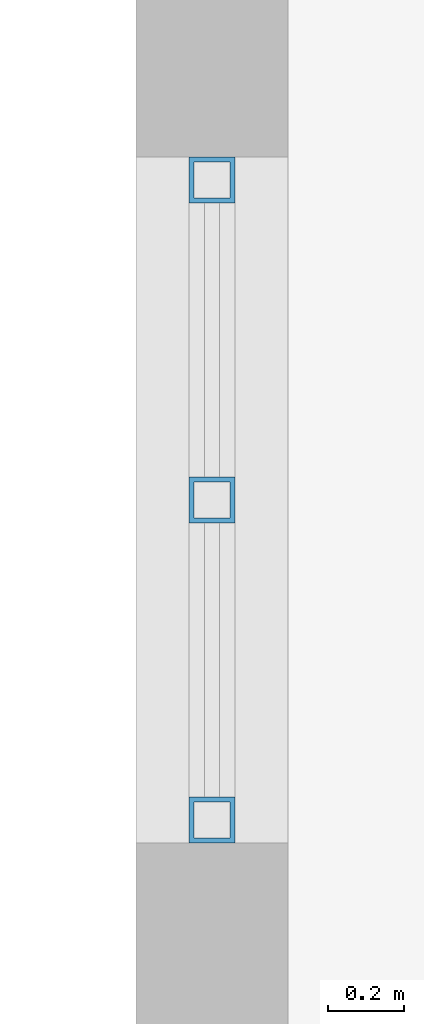
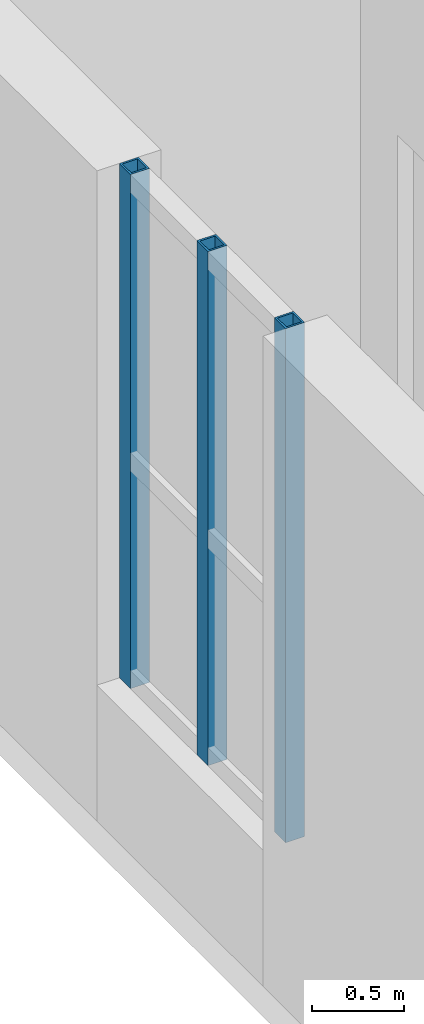
# One storey, part 45 of 131: 3 members, 1 element without a shape of its own.
"""IFC4 building model written with IfcOpenShell, lengths in metres."""

from ifc_helpers import new_model, si_unit, direction, frame, origin, origin_2d, place, context, subcontext, project, spatial, hollow_rectangle, extrude, material, material_profile, profile_set, type_object, element, aggregate, save


model = new_model("IFC4")

# Units and contexts
model_context = context("Model", 3, precision=1e-05, world=origin(), true_north=direction((0.0, 1.0)))
body_context = subcontext(model_context, "Body", "Model", "MODEL_VIEW")
ifc_project = project(units=[si_unit("LENGTHUNIT", "METRE"), si_unit("AREAUNIT", "SQUARE_METRE"), si_unit("VOLUMEUNIT", "CUBIC_METRE"), si_unit("PLANEANGLEUNIT", "RADIAN"), si_unit("MASSUNIT", "GRAM", prefix="KILO")], contexts=[model_context])

# Site, building, storey
site_placement = place(None, origin())
site = spatial("IfcSite", under=ifc_project, at=site_placement, CompositionType="ELEMENT")
building_placement = place(site_placement, origin())
building = spatial("IfcBuilding", under=site, at=building_placement, Name="Golden Quay Civic Hall", CompositionType="ELEMENT")
storey_placement = place(building_placement, frame((0.0, 0.0, 9.89990234375)))
storey = spatial("IfcBuildingStorey", under=building, at=storey_placement, Name="L02", CompositionType="ELEMENT", Elevation=9.89990234375)

# Curtain wall, members
ifc_material_1 = material(Name="Fire-resisting glass and steel", Category="steel")
curtain_wall_type = type_object("IfcCurtainWallType", Name="Fire-resisting glazed stair curtain wall EI 120", PredefinedType="NOTDEFINED", material=ifc_material_1)
curtain_wall_placement = place(storey_placement, origin())
curtain_wall = element("IfcCurtainWall", 1, at=curtain_wall_placement, inside=storey, type_object=curtain_wall_type, Name="CW4 stair curtain wall", PredefinedType="NOTDEFINED")
ifc_material_2 = material(Name="Steel S355", Category="steel")
ifc_material_profile = material_profile(ifc_material_2, hollow_rectangle(XDim=0.1201171875, YDim=0.1201171875, WallThickness=0.012451171875, at=origin_2d()), Name="SHS 120x120x12.5")
ifc_profile_set = profile_set([ifc_material_profile], Name="Steel S355")
member_type = type_object("IfcMemberType", Name="Fire-resisting steel stair mullion 120 x 120", PredefinedType="MULLION", material=ifc_profile_set)
member_1_placement = place(storey_placement, frame((63.0, 103.4599609375, 0.900146484375), z_axis=(0.0, 0.0, 1.0), x_axis=(-1.0, 0.0, 0.0)))
member_1 = element("IfcMember", 2, at=member_1_placement, type_object=member_type, Name="CW4 mullion 1", PredefinedType="MULLION", context=body_context, shape_type="SweptSolid", body=[
    extrude(hollow_rectangle(XDim=0.1201171875, YDim=0.1201171875, WallThickness=0.012451171875, at=origin_2d()), origin(), (0.0, 0.0, 1.0), 3.39990234375),
])
member_2_placement = place(storey_placement, frame((63.0, 104.300048828125, 0.900146484375), z_axis=(0.0, 0.0, 1.0), x_axis=(-1.0, 0.0, 0.0)))
member_2 = element("IfcMember", 3, at=member_2_placement, type_object=member_type, Name="CW4 mullion 2", PredefinedType="MULLION", context=body_context, shape_type="SweptSolid", body=[
    extrude(hollow_rectangle(XDim=0.1201171875, YDim=0.1201171875, WallThickness=0.012451171875, at=origin_2d()), origin(), (0.0, 0.0, 1.0), 3.39990234375),
])
member_3_placement = place(storey_placement, frame((63.0, 105.139892578125, 0.900146484375), z_axis=(0.0, 0.0, 1.0), x_axis=(-1.0, 0.0, 0.0)))
member_3 = element("IfcMember", 4, at=member_3_placement, type_object=member_type, Name="CW4 mullion 3", PredefinedType="MULLION", context=body_context, shape_type="SweptSolid", body=[
    extrude(hollow_rectangle(XDim=0.1201171875, YDim=0.1201171875, WallThickness=0.012451171875, at=origin_2d()), origin(), (0.0, 0.0, 1.0), 3.39990234375),
])
aggregate(curtain_wall, [member_1, member_2, member_3])

save(model, "model.ifc")
